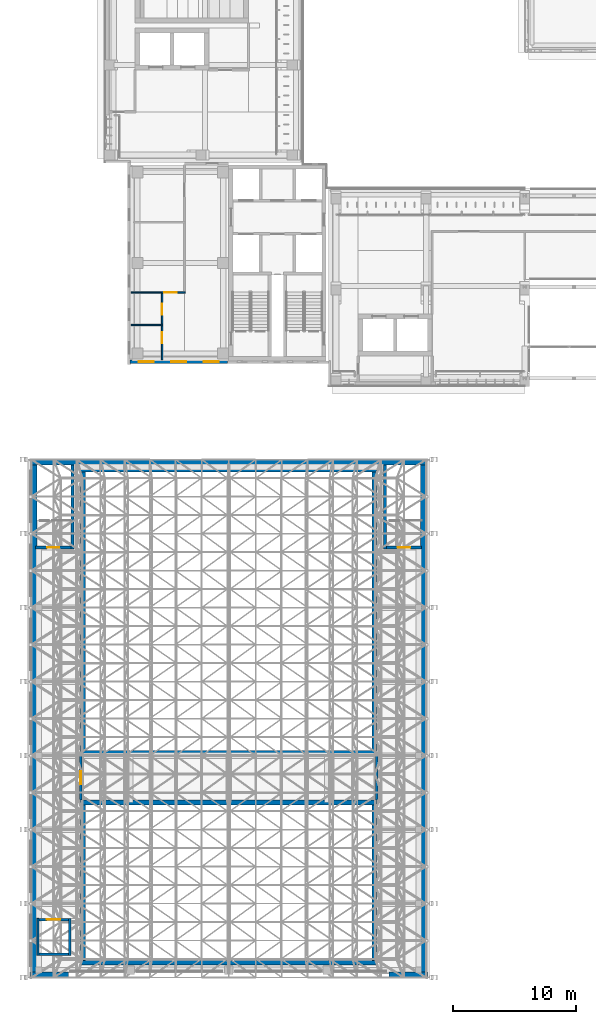
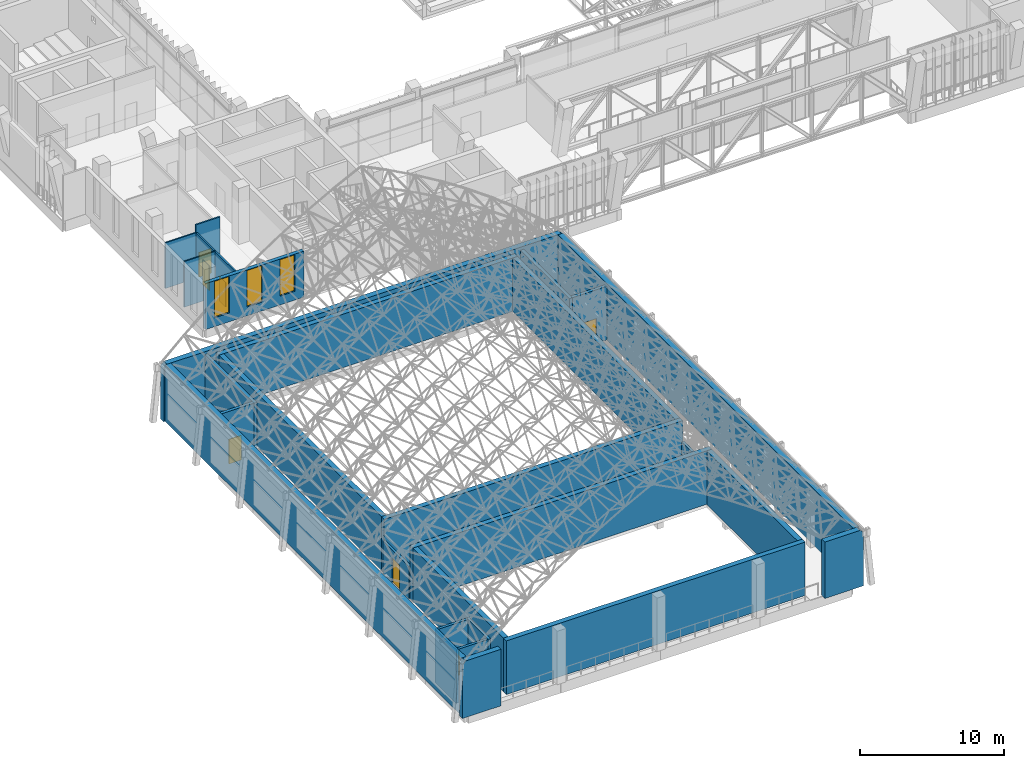
# One storey, part 103 of 141: 28 walls, 7 doors, 3 windows, 10 openings.
"""IFC4 building model written with IfcOpenShell, lengths in metres."""

from ifc_helpers import new_model, si_unit, direction, frame, frame_2d, origin, place, context, subcontext, project, spatial, polyline, rectangle, outline, extrude, material, layer, layer_set, type_object, element, fill, save


model = new_model("IFC4")

# Units and contexts
model_context = context("Model", 3, precision=1e-05, world=origin(), true_north=direction((0.0, 1.0)))
body_context = subcontext(model_context, "Body", "Model", "MODEL_VIEW")
ifc_project = project(units=[si_unit("LENGTHUNIT", "METRE"), si_unit("AREAUNIT", "SQUARE_METRE"), si_unit("VOLUMEUNIT", "CUBIC_METRE"), si_unit("PLANEANGLEUNIT", "RADIAN"), si_unit("MASSUNIT", "GRAM", prefix="KILO")], contexts=[model_context])

# Site, building, storey
site_placement = place(None, origin())
site = spatial("IfcSite", under=ifc_project, at=site_placement, CompositionType="ELEMENT")
building_placement = place(site_placement, origin())
building = spatial("IfcBuilding", under=site, at=building_placement, Name="Lantern Court Media Centre", CompositionType="ELEMENT")
storey_placement = place(building_placement, frame((0.0, 0.0, 9.60009765625)))
storey = spatial("IfcBuildingStorey", under=building, at=storey_placement, Name="L02", CompositionType="ELEMENT", Elevation=9.60009765625)

# Wall, opening, door
ifc_material_1 = material(Name="Gypsum board partition")
ifc_layer_1 = layer(ifc_material_1, 0.125)
ifc_layer_set_1 = layer_set([ifc_layer_1], Name="Gypsum board partition")
wall_type_1 = type_object("IfcWallType", Name="Corridor partition 125", PredefinedType="PARTITIONING", material=ifc_layer_set_1)
wall_1_placement = place(storey_placement, frame((10.53759765625, 53.5419921875, 0.0), z_axis=(0.0, 0.0, 1.0), x_axis=(1.0, 0.0, 0.0)))
wall_1 = element("IfcWall", 1, at=wall_1_placement, inside=storey, type_object=wall_type_1, Name="L02 partition 039", PredefinedType="PARTITIONING", context=body_context, shape_type="SweptSolid", body=[
    extrude(rectangle(XDim=1.9248046875, YDim=0.125, at=frame_2d((0.96240234375, 0.0))), origin(), (0.0, 0.0, 1.0), 4.559814453125),
])
opening_1_placement = place(wall_1_placement, frame((0.245849609375, 0.0, 0.0)))
opening_1 = element("IfcOpeningElement", 2, at=opening_1_placement, cuts=wall_1, Name="Opening L02-031", PredefinedType="OPENING", context=body_context, shape_type="SweptSolid", body=[
    extrude(rectangle(XDim=1.0, YDim=2.10009765625, at=frame_2d((0.5, 1.050048828125))), frame((0.0, 0.072509765625, 0.0), z_axis=(0.0, -1.0, 0.0), x_axis=(1.0, 0.0, 0.0)), (0.0, 0.0, 1.0), 0.14501953125),
])
ifc_material_2 = material(Name="Solid-core timber door leaf", Category="wood")
door_type_1 = type_object("IfcDoorType", Name="Single door 1000x2100", OperationType="NOTDEFINED", PredefinedType="DOOR", material=ifc_material_2)
door_1_placement = place(opening_1_placement, origin())
door_1 = element("IfcDoor", 3, at=door_1_placement, inside=storey, type_object=door_type_1, Name="L02 Children's and Youth Media Room door", OperationType="SINGLE_SWING_RIGHT", OverallHeight=2.10009765625, OverallWidth=1.0, PredefinedType="DOOR", context=body_context, shape_type="SweptSolid", body=[
    extrude(rectangle(XDim=1.0, YDim=2.10009765625, at=frame_2d((0.5, 1.050048828125))), frame((0.0, 0.02490234375, 0.0), z_axis=(0.0, -1.0, 0.0), x_axis=(1.0, 0.0, 0.0)), (0.0, 0.0, 1.0), 0.050048828125),
])
fill(opening_1, door_1)

# Wall, openings, doors
wall_2_placement = place(storey_placement, frame((10.60009765625, 48.080078125, 0.0), z_axis=(0.0, 0.0, 1.0), x_axis=(0.0, 1.0, 0.0)))
wall_2 = element("IfcWall", 4, at=wall_2_placement, inside=storey, type_object=wall_type_1, Name="L02 partition 041", PredefinedType="PARTITIONING", context=body_context, shape_type="SweptSolid", body=[
    extrude(rectangle(XDim=5.399658203125, YDim=0.125, at=frame_2d((2.69970703125, 0.0))), origin(), (0.0, 0.0, 1.0), 3.8798828125),
])
opening_2_placement = place(wall_2_placement, frame((1.35546875, 0.0, 0.0)))
opening_2 = element("IfcOpeningElement", 5, at=opening_2_placement, cuts=wall_2, Name="Opening L02-033", PredefinedType="OPENING", context=body_context, shape_type="SweptSolid", body=[
    extrude(rectangle(XDim=0.89990234375, YDim=2.10009765625, at=frame_2d((0.449951171875, 1.050048828125))), frame((0.0, 0.072509765625, 0.0), z_axis=(0.0, -1.0, 0.0), x_axis=(1.0, 0.0, 0.0)), (0.0, 0.0, 1.0), 0.14501953125),
])
opening_3_placement = place(wall_2_placement, frame((3.648193359375, 0.0, 0.0)))
opening_3 = element("IfcOpeningElement", 6, at=opening_3_placement, cuts=wall_2, Name="Opening L02-034", PredefinedType="OPENING", context=body_context, shape_type="SweptSolid", body=[
    extrude(rectangle(XDim=0.89990234375, YDim=2.10009765625, at=frame_2d((0.449951171875, 1.050048828125))), frame((0.0, 0.072509765625, 0.0), z_axis=(0.0, -1.0, 0.0), x_axis=(1.0, 0.0, 0.0)), (0.0, 0.0, 1.0), 0.14501953125),
])
door_type_2 = type_object("IfcDoorType", Name="Single door 900x2100", OperationType="NOTDEFINED", PredefinedType="DOOR", material=ifc_material_2)
door_2_placement = place(opening_2_placement, origin())
door_2 = element("IfcDoor", 7, at=door_2_placement, inside=storey, type_object=door_type_2, Name="L02 WC Male door", OperationType="SINGLE_SWING_RIGHT", OverallHeight=2.10009765625, OverallWidth=0.89990234375, PredefinedType="DOOR", context=body_context, shape_type="SweptSolid", body=[
    extrude(rectangle(XDim=0.89990234375, YDim=2.10009765625, at=frame_2d((0.449951171875, 1.050048828125))), frame((0.0, 0.02490234375, 0.0), z_axis=(0.0, -1.0, 0.0), x_axis=(1.0, 0.0, 0.0)), (0.0, 0.0, 1.0), 0.050048828125),
])
fill(opening_2, door_2)
door_3_placement = place(opening_3_placement, origin())
door_3 = element("IfcDoor", 8, at=door_3_placement, inside=storey, type_object=door_type_2, Name="L02 WC Female door", OperationType="SINGLE_SWING_LEFT", OverallHeight=2.10009765625, OverallWidth=0.89990234375, PredefinedType="DOOR", context=body_context, shape_type="SweptSolid", body=[
    extrude(rectangle(XDim=0.89990234375, YDim=2.10009765625, at=frame_2d((0.449951171875, 1.050048828125))), frame((0.0, 0.02490234375, 0.0), z_axis=(0.0, -1.0, 0.0), x_axis=(1.0, 0.0, 0.0)), (0.0, 0.0, 1.0), 0.050048828125),
])
fill(opening_3, door_3)

# Wall, opening, door
ifc_material_3 = material(Name="Concrete blockwork C20", Category="masonry")
ifc_layer_2 = layer(ifc_material_3, 0.199951171875)
ifc_layer_set_2 = layer_set([ifc_layer_2], Name="Concrete blockwork C20")
wall_type_2 = type_object("IfcWallType", Name="Fire-rated blockwork wall 200", PredefinedType="PARTITIONING", material=ifc_layer_set_2)
wall_3_placement = place(storey_placement, frame((4.0, 12.39990234375, 0.0), z_axis=(0.0, 0.0, 1.0), x_axis=(0.0, 1.0, 0.0)))
wall_3 = element("IfcWall", 9, at=wall_3_placement, inside=storey, type_object=wall_type_2, Name="L02 partition 060", PredefinedType="PARTITIONING", context=body_context, shape_type="SweptSolid", body=[
    extrude(rectangle(XDim=3.60009765625, YDim=0.199951171875, at=frame_2d((1.800048828125, 0.0))), origin(), (0.0, 0.0, 1.0), 2.77978515625),
])
opening_4_placement = place(wall_3_placement, frame((1.27490234375, 0.0, 0.0)))
opening_4 = element("IfcOpeningElement", 10, at=opening_4_placement, cuts=wall_3, Name="Opening L02-047", PredefinedType="OPENING", context=body_context, shape_type="SweptSolid", body=[
    extrude(rectangle(XDim=1.050048828125, YDim=2.10009765625, at=frame_2d((0.52490234375, 1.050048828125))), frame((0.0, 0.10986328125, 0.0), z_axis=(0.0, -1.0, 0.0), x_axis=(1.0, 0.0, 0.0)), (0.0, 0.0, 1.0), 0.219970703125),
])
ifc_material_4 = material(Name="Steel door leaf", Category="steel")
door_type_3 = type_object("IfcDoorType", Name="Store fire door 1050x2100", OperationType="NOTDEFINED", PredefinedType="DOOR", material=ifc_material_4)
door_4_placement = place(opening_4_placement, frame((1.050048828125, 0.0, 0.0), z_axis=(0.0, 0.0, 1.0), x_axis=(-1.0, 0.0, 0.0)))
door_4 = element("IfcDoor", 11, at=door_4_placement, inside=storey, type_object=door_type_3, Name="L02 Projection Store door", OperationType="SINGLE_SWING_RIGHT", OverallHeight=2.10009765625, OverallWidth=1.050048828125, PredefinedType="DOOR", context=body_context, shape_type="SweptSolid", body=[
    extrude(rectangle(XDim=1.050048828125, YDim=2.10009765625, at=frame_2d((0.52490234375, 1.050048828125))), frame((0.0, 0.02490234375, 0.0), z_axis=(0.0, -1.0, 0.0), x_axis=(1.0, 0.0, 0.0)), (0.0, 0.0, 1.0), 0.050048828125),
])
fill(opening_4, door_4)

# Walls
wall_4_placement = place(storey_placement, frame((28.0, 12.39990234375, 0.0), z_axis=(0.0, 0.0, 1.0), x_axis=(0.0, 1.0, 0.0)))
element("IfcWall", 12, at=wall_4_placement, inside=storey, type_object=wall_type_2, Name="L02 partition 061", PredefinedType="PARTITIONING", context=body_context, shape_type="SweptSolid", body=[
    extrude(rectangle(XDim=3.60009765625, YDim=0.199951171875, at=frame_2d((1.800048828125, 0.0))), origin(), (0.0, 0.0, 1.0), 2.77978515625),
])
ifc_material_5 = material(Name="Limestone masonry, insulated", Category="masonry")
ifc_layer_3 = layer(ifc_material_5, 0.449951171875)
ifc_layer_set_3 = layer_set([ifc_layer_3], Name="Limestone masonry, insulated")
wall_type_3 = type_object("IfcWallType", Name="Hall wall, stone-faced masonry 450", PredefinedType="SOLIDWALL", material=ifc_layer_set_3)
for number, where, z_axis, x_axis, name in (
    (13, (0.22509765625, -1.550048828125, 0.0), (0.0, 0.0, 1.0), (0.0, 1.0, 0.0), "Cinema Hall street wall L02"),
    (14, (31.77490234375, -1.550048828125, 0.0), (0.0, 0.0, 1.0), (0.0, 1.0, 0.0), "Cinema Hall forecourt wall L02"),
):
    element("IfcWall", number, at=place(storey_placement, frame(where, z_axis=z_axis, x_axis=x_axis)), inside=storey, type_object=wall_type_3, Name=name, PredefinedType="SOLIDWALL", context=body_context, shape_type="SweptSolid", body=[
        extrude(rectangle(XDim=41.10009765625, YDim=0.449951171875, at=frame_2d((20.550048828125, 0.0))), origin(), (0.0, 0.0, 1.0), 4.7998046875),
    ])
wall_5_placement = place(storey_placement, frame((-0.10107421875, -1.77490234375, 0.0), z_axis=(0.0, 0.0, 1.0), x_axis=(1.0, 0.0, 0.0)))
element("IfcWall", 15, at=wall_5_placement, inside=storey, type_object=wall_type_3, Name="Cinema Hall south gable L02", PredefinedType="SOLIDWALL", context=body_context, shape_type="SweptSolid", body=[
    extrude(outline(polyline([(0.0, 0.0), (3.10107421875, 0.0), (3.10107421875, 4.7998046875), (2.8623046875, 4.7998046875), (2.623779296875, 4.7998046875), (2.385498046875, 4.7998046875), (2.146728515625, 4.7998046875), (1.908203125, 4.7998046875), (1.669921875, 4.7998046875), (1.43115234375, 4.7998046875), (1.192626953125, 4.7998046875), (0.9541015625, 4.7998046875), (0.715576171875, 4.7998046875), (0.47705078125, 4.7998046875), (0.2578125, 4.7998046875), (0.238525390625, 4.781494140625), (0.0, 4.552734375), (0.0, 0.0)])), frame((0.0, 0.22509765625, 0.0), z_axis=(0.0, -1.0, 0.0), x_axis=(1.0, 0.0, 0.0)), (0.0, 0.0, 1.0), 0.449951171875),
])
wall_6_placement = place(storey_placement, frame((29.0, -1.77490234375, 0.0), z_axis=(0.0, 0.0, 1.0), x_axis=(1.0, 0.0, 0.0)))
element("IfcWall", 16, at=wall_6_placement, inside=storey, type_object=wall_type_3, Name="Cinema Hall south gable L02", PredefinedType="SOLIDWALL", context=body_context, shape_type="SweptSolid", body=[
    extrude(outline(polyline([(0.0, 0.0), (3.10107421875, 0.0), (3.10107421875, 4.552734375), (2.8623046875, 4.781494140625), (2.843017578125, 4.7998046875), (2.623779296875, 4.7998046875), (2.385498046875, 4.7998046875), (2.146728515625, 4.7998046875), (1.908203125, 4.7998046875), (1.669921875, 4.7998046875), (1.43115234375, 4.7998046875), (1.192626953125, 4.7998046875), (0.9541015625, 4.7998046875), (0.715576171875, 4.7998046875), (0.47705078125, 4.7998046875), (0.238525390625, 4.7998046875), (0.0, 4.7998046875), (0.0, 0.0)])), frame((0.0, 0.22509765625, 0.0), z_axis=(0.0, -1.0, 0.0), x_axis=(1.0, 0.0, 0.0)), (0.0, 0.0, 1.0), 0.449951171875),
])
wall_7_placement = place(storey_placement, frame((-0.10107421875, 39.77490234375, 0.0), z_axis=(0.0, 0.0, 1.0), x_axis=(1.0, 0.0, 0.0)))
element("IfcWall", 17, at=wall_7_placement, inside=storey, type_object=wall_type_3, Name="Cinema Hall north gable L02", PredefinedType="SOLIDWALL", context=body_context, shape_type="SweptSolid", body=[
    extrude(outline(polyline([(0.0, 0.0), (32.2021484375, 0.0), (32.201904296875, 4.552734375), (31.952392578125, 4.7919921875), (31.944091796875, 4.7998046875), (31.70263671875, 4.7998046875), (31.453125, 4.7998046875), (31.203369140625, 4.7998046875), (30.953857421875, 4.7998046875), (30.7041015625, 4.7998046875), (30.45458984375, 4.7998046875), (30.204833984375, 4.7998046875), (29.955322265625, 4.7998046875), (29.705810546875, 4.7998046875), (29.4560546875, 4.7998046875), (29.206298828125, 4.7998046875), (28.956787109375, 4.7998046875), (28.707275390625, 4.7998046875), (28.45751953125, 4.7998046875), (28.2080078125, 4.7998046875), (27.958251953125, 4.7998046875), (27.708740234375, 4.7998046875), (27.458984375, 4.7998046875), (27.20947265625, 4.7998046875), (26.959716796875, 4.7998046875), (26.710205078125, 4.7998046875), (26.46044921875, 4.7998046875), (26.2109375, 4.7998046875), (25.961181640625, 4.7998046875), (25.711669921875, 4.7998046875), (25.4619140625, 4.7998046875), (25.21240234375, 4.7998046875), (24.962646484375, 4.7998046875), (24.713134765625, 4.7998046875), (24.46337890625, 4.7998046875), (24.2138671875, 4.7998046875), (23.964111328125, 4.7998046875), (23.714599609375, 4.7998046875), (23.465087890625, 4.7998046875), (23.21533203125, 4.7998046875), (22.9658203125, 4.7998046875), (22.716064453125, 4.7998046875), (22.466552734375, 4.7998046875), (22.216796875, 4.7998046875), (21.96728515625, 4.7998046875), (21.717529296875, 4.7998046875), (21.468017578125, 4.7998046875), (21.21826171875, 4.7998046875), (20.96875, 4.7998046875), (20.718994140625, 4.7998046875), (20.469482421875, 4.7998046875), (20.2197265625, 4.7998046875), (19.97021484375, 4.7998046875), (19.720703125, 4.7998046875), (19.470947265625, 4.7998046875), (19.22119140625, 4.7998046875), (18.9716796875, 4.7998046875), (18.72216796875, 4.7998046875), (18.472412109375, 4.7998046875), (18.222900390625, 4.7998046875), (17.97314453125, 4.7998046875), (17.7236328125, 4.7998046875), (17.473876953125, 4.7998046875), (17.224365234375, 4.7998046875), (16.974609375, 4.7998046875), (16.72509765625, 4.7998046875), (16.475341796875, 4.7998046875), (16.225830078125, 4.7998046875), (15.976318359375, 4.7998046875), (15.7265625, 4.7998046875), (15.476806640625, 4.7998046875), (15.227294921875, 4.7998046875), (14.9775390625, 4.7998046875), (14.72802734375, 4.7998046875), (14.478515625, 4.7998046875), (14.228759765625, 4.7998046875), (13.97900390625, 4.7998046875), (13.7294921875, 4.7998046875), (13.47998046875, 4.7998046875), (13.230224609375, 4.7998046875), (12.980712890625, 4.7998046875), (12.73095703125, 4.7998046875), (12.4814453125, 4.7998046875), (12.231689453125, 4.7998046875), (11.982177734375, 4.7998046875), (11.732421875, 4.7998046875), (11.48291015625, 4.7998046875), (11.233154296875, 4.7998046875), (10.983642578125, 4.7998046875), (10.73388671875, 4.7998046875), (10.484375, 4.7998046875), (10.234619140625, 4.7998046875), (9.985107421875, 4.7998046875), (9.735595703125, 4.7998046875), (9.48583984375, 4.7998046875), (9.236083984375, 4.7998046875), (8.986572265625, 4.7998046875), (8.737060546875, 4.7998046875), (8.4873046875, 4.7998046875), (8.23779296875, 4.7998046875), (7.988037109375, 4.7998046875), (7.738525390625, 4.7998046875), (7.48876953125, 4.7998046875), (7.2392578125, 4.7998046875), (6.989501953125, 4.7998046875), (6.739990234375, 4.7998046875), (6.490234375, 4.7998046875), (6.24072265625, 4.7998046875), (5.9912109375, 4.7998046875), (5.741455078125, 4.7998046875), (5.49169921875, 4.7998046875), (5.2421875, 4.7998046875), (4.992431640625, 4.7998046875), (4.742919921875, 4.7998046875), (4.493408203125, 4.7998046875), (4.24365234375, 4.7998046875), (3.993896484375, 4.7998046875), (3.744384765625, 4.7998046875), (3.494873046875, 4.7998046875), (3.2451171875, 4.7998046875), (2.99560546875, 4.7998046875), (2.745849609375, 4.7998046875), (2.496337890625, 4.7998046875), (2.24658203125, 4.7998046875), (1.9970703125, 4.7998046875), (1.747314453125, 4.7998046875), (1.497802734375, 4.7998046875), (1.248046875, 4.7998046875), (0.99853515625, 4.7998046875), (0.748779296875, 4.7998046875), (0.499267578125, 4.7998046875), (0.2578125, 4.7998046875), (0.24951171875, 4.7919921875), (0.0, 4.552734375), (0.0, 0.0)])), frame((0.0, 0.22509765625, 0.0), z_axis=(0.0, -1.0, 0.0), x_axis=(1.0, 0.0, 0.0)), (0.0, 0.0, 1.0), 0.449951171875),
])

# Wall, openings, windows
ifc_material_6 = material(Name="Honed limestone cladding on blockwork", Category="masonry")
ifc_layer_4 = layer(ifc_material_6, 0.300048828125)
ifc_layer_set_4 = layer_set([ifc_layer_4], Name="Honed limestone cladding on blockwork")
wall_type_4 = type_object("IfcWallType", Name="Limestone block wall 300", PredefinedType="SOLIDWALL", material=ifc_layer_set_4)
wall_8_placement = place(storey_placement, frame((8.0, 47.929931640625, 0.0), z_axis=(0.0, 0.0, 1.0), x_axis=(1.0, 0.0, 0.0)))
wall_8 = element("IfcWall", 18, at=wall_8_placement, inside=storey, type_object=wall_type_4, Name="Limestone wall SW S L02", PredefinedType="SOLIDWALL", context=body_context, shape_type="SweptSolid", body=[
    extrude(rectangle(XDim=7.89990234375, YDim=0.300048828125, at=frame_2d((3.949951171875, 0.0))), origin(), (0.0, 0.0, 1.0), 3.89990234375),
])
opening_5_placement = place(wall_8_placement, frame((0.716552734375, 0.0, 0.75)))
opening_5 = element("IfcOpeningElement", 19, at=opening_5_placement, cuts=wall_8, Name="Opening WN-T", PredefinedType="OPENING", context=body_context, shape_type="SweptSolid", body=[
    extrude(rectangle(XDim=1.199951171875, YDim=3.10009765625, at=frame_2d((0.60009765625, 1.550048828125))), frame((0.0, 0.159912109375, 0.0), z_axis=(0.0, -1.0, 0.0), x_axis=(1.0, 0.0, 0.0)), (0.0, 0.0, 1.0), 0.320068359375),
])
opening_6_placement = place(wall_8_placement, frame((3.35009765625, 0.0, 0.75)))
opening_6 = element("IfcOpeningElement", 20, at=opening_6_placement, cuts=wall_8, Name="Opening WN-T", PredefinedType="OPENING", context=body_context, shape_type="SweptSolid", body=[
    extrude(rectangle(XDim=1.199951171875, YDim=3.10009765625, at=frame_2d((0.60009765625, 1.550048828125))), frame((0.0, 0.159912109375, 0.0), z_axis=(0.0, -1.0, 0.0), x_axis=(1.0, 0.0, 0.0)), (0.0, 0.0, 1.0), 0.320068359375),
])
opening_7_placement = place(wall_8_placement, frame((5.9833984375, 0.0, 0.75)))
opening_7 = element("IfcOpeningElement", 21, at=opening_7_placement, cuts=wall_8, Name="Opening WN-T", PredefinedType="OPENING", context=body_context, shape_type="SweptSolid", body=[
    extrude(rectangle(XDim=1.199951171875, YDim=3.10009765625, at=frame_2d((0.60009765625, 1.550048828125))), frame((0.0, 0.159912109375, 0.0), z_axis=(0.0, -1.0, 0.0), x_axis=(1.0, 0.0, 0.0)), (0.0, 0.0, 1.0), 0.320068359375),
])
ifc_material_7 = material(Name="Anodised aluminium and glass", Category="aluminium")
window_type = type_object("IfcWindowType", Name="Tall window 1200x3100", PartitioningType="SINGLE_PANEL", PredefinedType="WINDOW", material=ifc_material_7)
window_1_placement = place(opening_5_placement, origin())
window_1 = element("IfcWindow", 22, at=window_1_placement, inside=storey, type_object=window_type, Name="Window SW S L02", OverallHeight=3.10009765625, OverallWidth=1.199951171875, PartitioningType="SINGLE_PANEL", PredefinedType="WINDOW", context=body_context, shape_type="SweptSolid", body=[
    extrude(rectangle(XDim=1.199951171875, YDim=3.10009765625, at=frame_2d((0.60009765625, 1.550048828125))), frame((0.0, 0.030029296875, 0.0), z_axis=(0.0, -1.0, 0.0), x_axis=(1.0, 0.0, 0.0)), (0.0, 0.0, 1.0), 0.06005859375),
])
fill(opening_5, window_1)
window_2_placement = place(opening_6_placement, origin())
window_2 = element("IfcWindow", 23, at=window_2_placement, inside=storey, type_object=window_type, Name="Window SW S L02", OverallHeight=3.10009765625, OverallWidth=1.199951171875, PartitioningType="SINGLE_PANEL", PredefinedType="WINDOW", context=body_context, shape_type="SweptSolid", body=[
    extrude(rectangle(XDim=1.199951171875, YDim=3.10009765625, at=frame_2d((0.60009765625, 1.550048828125))), frame((0.0, 0.030029296875, 0.0), z_axis=(0.0, -1.0, 0.0), x_axis=(1.0, 0.0, 0.0)), (0.0, 0.0, 1.0), 0.06005859375),
])
fill(opening_6, window_2)
window_3_placement = place(opening_7_placement, origin())
window_3 = element("IfcWindow", 24, at=window_3_placement, inside=storey, type_object=window_type, Name="Window SW S L02", OverallHeight=3.10009765625, OverallWidth=1.199951171875, PartitioningType="SINGLE_PANEL", PredefinedType="WINDOW", context=body_context, shape_type="SweptSolid", body=[
    extrude(rectangle(XDim=1.199951171875, YDim=3.10009765625, at=frame_2d((0.60009765625, 1.550048828125))), frame((0.0, 0.030029296875, 0.0), z_axis=(0.0, -1.0, 0.0), x_axis=(1.0, 0.0, 0.0)), (0.0, 0.0, 1.0), 0.06005859375),
])
fill(opening_7, window_3)

# Walls
ifc_layer_5 = layer(ifc_material_1, 0.10009765625)
ifc_layer_set_5 = layer_set([ifc_layer_5], Name="Gypsum board partition")
wall_type_5 = type_object("IfcWallType", Name="Partition 100", PredefinedType="PARTITIONING", material=ifc_layer_set_5)
for number, where, z_axis, x_axis, name in (
    (25, (8.080078125, 53.5419921875, 0.0), (0.0, 0.0, 1.0), (1.0, 0.0, 0.0), "L02 partition 038"),
    (26, (8.080078125, 50.9208984375, 0.0), (0.0, 0.0, 1.0), (1.0, 0.0, 0.0), "L02 partition 043"),
):
    element("IfcWall", number, at=place(storey_placement, frame(where, z_axis=z_axis, x_axis=x_axis)), inside=storey, type_object=wall_type_5, Name=name, PredefinedType="PARTITIONING", context=body_context, shape_type="SweptSolid", body=[
        extrude(rectangle(XDim=2.58251953125, YDim=0.10009765625, at=frame_2d((1.291259765625, 0.0))), origin(), (0.0, 0.0, 1.0), 3.8798828125),
    ])
ifc_material_8 = material(Name="Concrete C40", Category="concrete")
ifc_layer_6 = layer(ifc_material_8, 0.39990234375)
ifc_layer_set_6 = layer_set([ifc_layer_6], Name="Concrete C40")
wall_type_6 = type_object("IfcWallType", Name="RC SHEAR WALL 400", PredefinedType="SHEAR", material=ifc_layer_set_6)
for number, where, z_axis, x_axis, name in (
    (27, (4.0, 16.199951171875, 0.0), (0.0, 0.0, 1.0), (1.0, 0.0, 0.0), "WB-V1-SC1-L02-S"),
    (28, (4.0, 39.199951171875, 0.0), (0.0, 0.0, 1.0), (1.0, 0.0, 0.0), "WB-V1-SC1-L02-N"),
):
    element("IfcWall", number, at=place(storey_placement, frame(where, z_axis=z_axis, x_axis=x_axis)), inside=storey, type_object=wall_type_6, Name=name, PredefinedType="SHEAR", context=body_context, shape_type="SweptSolid", body=[
        extrude(rectangle(XDim=24.0, YDim=0.39990234375, at=frame_2d((12.0, 0.0))), origin(), (0.0, 0.0, 1.0), 4.5498046875),
    ])
for number, where, z_axis, x_axis, name in (
    (29, (4.199951171875, 16.39990234375, 0.0), (0.0, 0.0, 1.0), (0.0, 1.0, 0.0), "WB-V1-SC1-L02-W"),
    (30, (27.800048828125, 16.39990234375, 0.0), (0.0, 0.0, 1.0), (0.0, 1.0, 0.0), "WB-V1-SC1-L02-E"),
):
    element("IfcWall", number, at=place(storey_placement, frame(where, z_axis=z_axis, x_axis=x_axis)), inside=storey, type_object=wall_type_6, Name=name, PredefinedType="SHEAR", context=body_context, shape_type="SweptSolid", body=[
        extrude(rectangle(XDim=22.60009765625, YDim=0.39990234375, at=frame_2d((11.300048828125, 0.0))), origin(), (0.0, 0.0, 1.0), 4.5498046875),
    ])
for number, where, z_axis, x_axis, name in (
    (31, (4.0, -0.800048828125, 0.0), (0.0, 0.0, 1.0), (1.0, 0.0, 0.0), "WB-V1-SC2-L02-S"),
    (32, (4.0, 12.199951171875, 0.0), (0.0, 0.0, 1.0), (1.0, 0.0, 0.0), "WB-V1-SC2-L02-N"),
):
    element("IfcWall", number, at=place(storey_placement, frame(where, z_axis=z_axis, x_axis=x_axis)), inside=storey, type_object=wall_type_6, Name=name, PredefinedType="SHEAR", context=body_context, shape_type="SweptSolid", body=[
        extrude(rectangle(XDim=24.0, YDim=0.39990234375, at=frame_2d((12.0, 0.0))), origin(), (0.0, 0.0, 1.0), 4.5498046875),
    ])
for number, where, z_axis, x_axis, name in (
    (33, (4.199951171875, -0.60009765625, 0.0), (0.0, 0.0, 1.0), (0.0, 1.0, 0.0), "WB-V1-SC2-L02-W"),
    (34, (27.800048828125, -0.60009765625, 0.0), (0.0, 0.0, 1.0), (0.0, 1.0, 0.0), "WB-V1-SC2-L02-E"),
):
    element("IfcWall", number, at=place(storey_placement, frame(where, z_axis=z_axis, x_axis=x_axis)), inside=storey, type_object=wall_type_6, Name=name, PredefinedType="SHEAR", context=body_context, shape_type="SweptSolid", body=[
        extrude(rectangle(XDim=12.60009765625, YDim=0.39990234375, at=frame_2d((6.300048828125, 0.0))), origin(), (0.0, 0.0, 1.0), 4.5498046875),
    ])
ifc_layer_7 = layer(ifc_material_8, 0.14990234375)
ifc_layer_set_7 = layer_set([ifc_layer_7], Name="Concrete C40")
wall_type_7 = type_object("IfcWallType", Name="RC lift shaft wall 150", PredefinedType="SOLIDWALL", material=ifc_layer_set_7)
wall_9_placement = place(storey_placement, frame((0.52490234375, -0.199951171875, 0.0), z_axis=(0.0, 0.0, 1.0), x_axis=(0.0, 1.0, 0.0)))
element("IfcWall", 35, at=wall_9_placement, inside=storey, type_object=wall_type_7, Name="L02 V1-LIFT shaft wall W", PredefinedType="SOLIDWALL", context=body_context, shape_type="SweptSolid", body=[
    extrude(rectangle(XDim=3.0, YDim=0.14990234375, at=frame_2d((1.5, 0.0))), origin(), (0.0, 0.0, 1.0), 4.5498046875),
])
ifc_layer_8 = layer(ifc_material_8, 0.199951171875)
ifc_layer_set_8 = layer_set([ifc_layer_8], Name="Concrete C40")
wall_type_8 = type_object("IfcWallType", Name="RC lift shaft wall 200", PredefinedType="SOLIDWALL", material=ifc_layer_set_8)
wall_10_placement = place(storey_placement, frame((3.10009765625, -0.199951171875, 0.0), z_axis=(0.0, 0.0, 1.0), x_axis=(0.0, 1.0, 0.0)))
element("IfcWall", 36, at=wall_10_placement, inside=storey, type_object=wall_type_8, Name="L02 V1-LIFT shaft wall E", PredefinedType="SOLIDWALL", context=body_context, shape_type="SweptSolid", body=[
    extrude(rectangle(XDim=3.0, YDim=0.199951171875, at=frame_2d((1.5, 0.0))), origin(), (0.0, 0.0, 1.0), 4.5498046875),
])
wall_11_placement = place(storey_placement, frame((0.60009765625, -0.10009765625, 0.0), z_axis=(0.0, 0.0, 1.0), x_axis=(1.0, 0.0, 0.0)))
element("IfcWall", 37, at=wall_11_placement, inside=storey, type_object=wall_type_8, Name="L02 V1-LIFT shaft wall S", PredefinedType="SOLIDWALL", context=body_context, shape_type="SweptSolid", body=[
    extrude(rectangle(XDim=2.39990234375, YDim=0.199951171875, at=frame_2d((1.199951171875, 0.0))), origin(), (0.0, 0.0, 1.0), 4.5498046875),
])

# Wall, opening, door
wall_12_placement = place(storey_placement, frame((0.60009765625, 2.699951171875, 0.0), z_axis=(0.0, 0.0, 1.0), x_axis=(1.0, 0.0, 0.0)))
wall_12 = element("IfcWall", 38, at=wall_12_placement, inside=storey, type_object=wall_type_8, Name="L02 V1-LIFT shaft wall N", PredefinedType="SOLIDWALL", context=body_context, shape_type="SweptSolid", body=[
    extrude(rectangle(XDim=2.39990234375, YDim=0.199951171875, at=frame_2d((1.199951171875, 0.0))), origin(), (0.0, 0.0, 1.0), 4.5498046875),
])
opening_8_placement = place(wall_12_placement, frame((0.64990234375, 0.0, 0.0)))
opening_8 = element("IfcOpeningElement", 39, at=opening_8_placement, cuts=wall_12, Name="Opening LD-V1-LIFT-L02", PredefinedType="OPENING", context=body_context, shape_type="SweptSolid", body=[
    extrude(rectangle(XDim=1.10009765625, YDim=2.10009765625, at=frame_2d((0.550048828125, 1.050048828125))), frame((0.0, 0.10986328125, 0.0), z_axis=(0.0, -1.0, 0.0), x_axis=(1.0, 0.0, 0.0)), (0.0, 0.0, 1.0), 0.219970703125),
])
door_type_4 = type_object("IfcDoorType", Name="Lift landing door 1100x2100", OperationType="DOUBLE_DOOR_SLIDING", PredefinedType="DOOR", material=ifc_material_4)
door_5_placement = place(opening_8_placement, origin())
door_5 = element("IfcDoor", 40, at=door_5_placement, inside=storey, type_object=door_type_4, Name="L02 V1-LIFT lift landing door", OperationType="DOUBLE_DOOR_SLIDING", OverallHeight=2.10009765625, OverallWidth=1.10009765625, PredefinedType="DOOR", context=body_context, shape_type="SweptSolid", body=[
    extrude(rectangle(XDim=1.10009765625, YDim=2.10009765625, at=frame_2d((0.550048828125, 1.050048828125))), frame((0.0, 0.02490234375, 0.0), z_axis=(0.0, -1.0, 0.0), x_axis=(1.0, 0.0, 0.0)), (0.0, 0.0, 1.0), 0.050048828125),
])
fill(opening_8, door_5)

# Wall
ifc_layer_9 = layer(ifc_material_8, 0.25)
ifc_layer_set_9 = layer_set([ifc_layer_9], Name="Concrete C40")
wall_type_9 = type_object("IfcWallType", Name="RC stair shaft wall 250", PredefinedType="SOLIDWALL", material=ifc_layer_set_9)
wall_13_placement = place(storey_placement, frame((3.324951171875, 32.75, 0.0), z_axis=(0.0, 0.0, 1.0), x_axis=(0.0, 1.0, 0.0)))
element("IfcWall", 41, at=wall_13_placement, inside=storey, type_object=wall_type_9, Name="L02 V1-ST-W shaft wall E", PredefinedType="SOLIDWALL", context=body_context, shape_type="SweptSolid", body=[
    extrude(rectangle(XDim=6.800048828125, YDim=0.25, at=frame_2d((3.39990234375, 0.0))), origin(), (0.0, 0.0, 1.0), 4.5498046875),
])

# Wall, opening, door
wall_14_placement = place(storey_placement, frame((0.35009765625, 32.875, 0.0), z_axis=(0.0, 0.0, 1.0), x_axis=(1.0, 0.0, 0.0)))
wall_14 = element("IfcWall", 42, at=wall_14_placement, inside=storey, type_object=wall_type_9, Name="L02 V1-ST-W shaft wall S", PredefinedType="SOLIDWALL", context=body_context, shape_type="SweptSolid", body=[
    extrude(rectangle(XDim=2.849853515625, YDim=0.25, at=frame_2d((1.4248046875, 0.0))), origin(), (0.0, 0.0, 1.0), 4.5498046875),
])
opening_9_placement = place(wall_14_placement, frame((0.925048828125, 0.0, 0.0)))
opening_9 = element("IfcOpeningElement", 43, at=opening_9_placement, cuts=wall_14, Name="Opening V1-ST-W-L02-01", PredefinedType="OPENING", context=body_context, shape_type="SweptSolid", body=[
    extrude(rectangle(XDim=1.0, YDim=2.10009765625, at=frame_2d((0.5, 1.050048828125))), frame((0.0, 0.135009765625, 0.0), z_axis=(0.0, -1.0, 0.0), x_axis=(1.0, 0.0, 0.0)), (0.0, 0.0, 1.0), 0.27001953125),
])
door_type_5 = type_object("IfcDoorType", Name="Stair door 1000x2100", OperationType="NOTDEFINED", PredefinedType="DOOR", material=ifc_material_4)
door_6_placement = place(opening_9_placement, frame((1.0, 0.0, 0.0), z_axis=(0.0, 0.0, 1.0), x_axis=(-1.0, 0.0, 0.0)))
door_6 = element("IfcDoor", 44, at=door_6_placement, inside=storey, type_object=door_type_5, Name="L02 V1-ST-W stair door", OperationType="SINGLE_SWING_RIGHT", OverallHeight=2.10009765625, OverallWidth=1.0, PredefinedType="DOOR", context=body_context, shape_type="SweptSolid", body=[
    extrude(rectangle(XDim=1.0, YDim=2.10009765625, at=frame_2d((0.5, 1.050048828125))), frame((0.0, 0.02490234375, 0.0), z_axis=(0.0, -1.0, 0.0), x_axis=(1.0, 0.0, 0.0)), (0.0, 0.0, 1.0), 0.050048828125),
])
fill(opening_9, door_6)

# Wall
wall_15_placement = place(storey_placement, frame((28.675048828125, 32.75, 0.0), z_axis=(0.0, 0.0, 1.0), x_axis=(0.0, 1.0, 0.0)))
element("IfcWall", 45, at=wall_15_placement, inside=storey, type_object=wall_type_9, Name="L02 V1-ST-E shaft wall W", PredefinedType="SOLIDWALL", context=body_context, shape_type="SweptSolid", body=[
    extrude(rectangle(XDim=6.800048828125, YDim=0.25, at=frame_2d((3.39990234375, 0.0))), origin(), (0.0, 0.0, 1.0), 4.5498046875),
])

# Wall, opening, door
wall_16_placement = place(storey_placement, frame((28.800048828125, 32.875, 0.0), z_axis=(0.0, 0.0, 1.0), x_axis=(1.0, 0.0, 0.0)))
wall_16 = element("IfcWall", 46, at=wall_16_placement, inside=storey, type_object=wall_type_9, Name="L02 V1-ST-E shaft wall S", PredefinedType="SOLIDWALL", context=body_context, shape_type="SweptSolid", body=[
    extrude(rectangle(XDim=2.849853515625, YDim=0.25, at=frame_2d((1.4248046875, 0.0))), origin(), (0.0, 0.0, 1.0), 4.5498046875),
])
opening_10_placement = place(wall_16_placement, frame((0.925048828125, 0.0, 0.0)))
opening_10 = element("IfcOpeningElement", 47, at=opening_10_placement, cuts=wall_16, Name="Opening V1-ST-E-L02-01", PredefinedType="OPENING", context=body_context, shape_type="SweptSolid", body=[
    extrude(rectangle(XDim=1.0, YDim=2.10009765625, at=frame_2d((0.5, 1.050048828125))), frame((0.0, 0.135009765625, 0.0), z_axis=(0.0, -1.0, 0.0), x_axis=(1.0, 0.0, 0.0)), (0.0, 0.0, 1.0), 0.27001953125),
])
door_7_placement = place(opening_10_placement, frame((1.0, 0.0, 0.0), z_axis=(0.0, 0.0, 1.0), x_axis=(-1.0, 0.0, 0.0)))
door_7 = element("IfcDoor", 48, at=door_7_placement, inside=storey, type_object=door_type_5, Name="L02 V1-ST-E stair door", OperationType="SINGLE_SWING_RIGHT", OverallHeight=2.10009765625, OverallWidth=1.0, PredefinedType="DOOR", context=body_context, shape_type="SweptSolid", body=[
    extrude(rectangle(XDim=1.0, YDim=2.10009765625, at=frame_2d((0.5, 1.050048828125))), frame((0.0, 0.02490234375, 0.0), z_axis=(0.0, -1.0, 0.0), x_axis=(1.0, 0.0, 0.0)), (0.0, 0.0, 1.0), 0.050048828125),
])
fill(opening_10, door_7)

save(model, "model.ifc")
